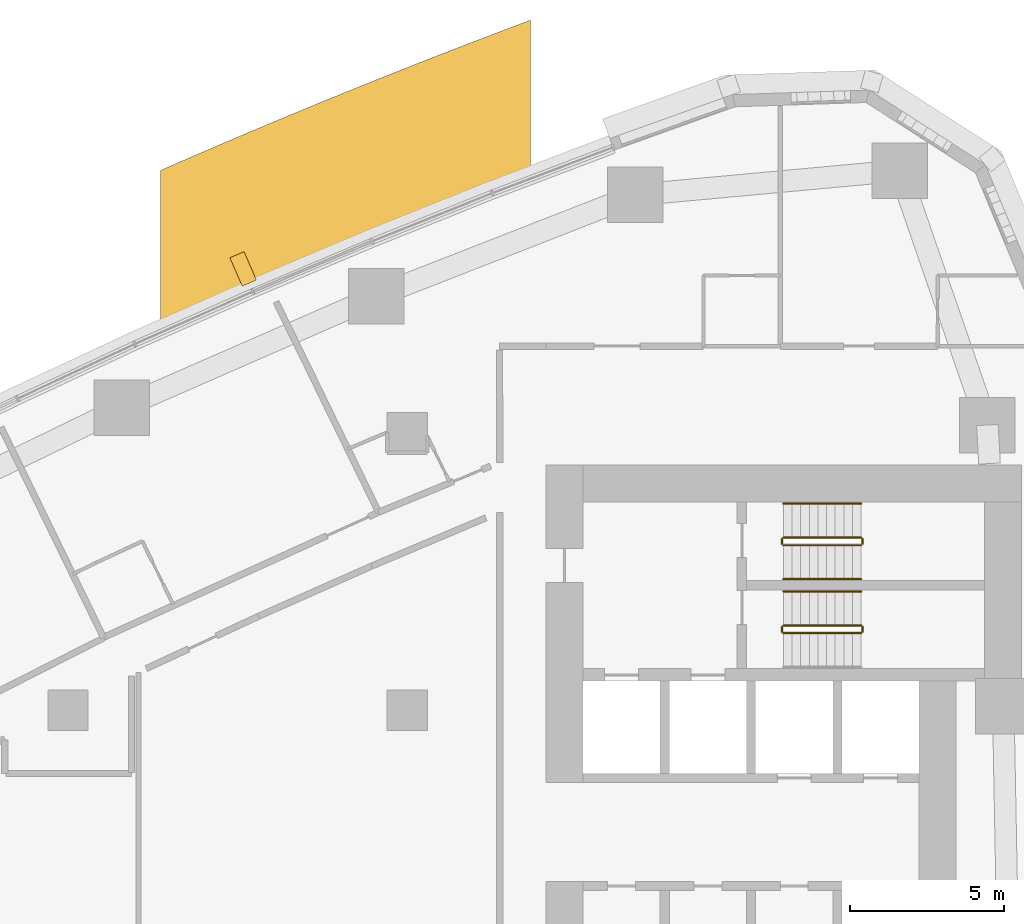
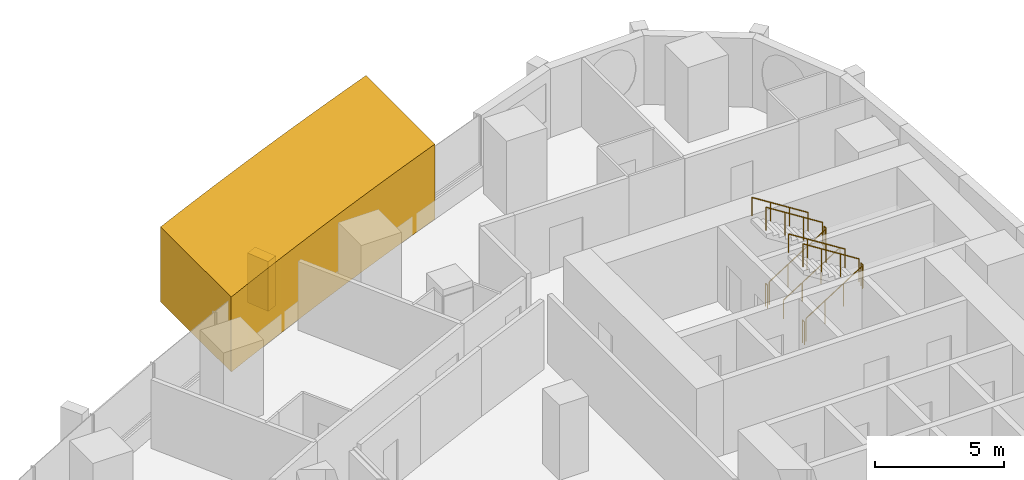
# One storey, part 17 of 18: 11 railings, 2 coverings.
"""IFC4 building model written with IfcOpenShell, lengths in metres."""

from ifc_helpers import new_model, si_unit, direction, frame, frame_2d, origin, origin_2d, place, context, subcontext, project, spatial, polyline, rectangle, circle, outline, extrude, material, layer, layer_set, type_object, element, save


model = new_model("IFC4")

# Units and contexts
model_context = context("Model", 3, precision=1e-05, world=origin(), true_north=direction((0.0, 1.0)))
body_context = subcontext(model_context, "Body", "Model", "MODEL_VIEW")
ifc_project = project(units=[si_unit("LENGTHUNIT", "METRE"), si_unit("AREAUNIT", "SQUARE_METRE"), si_unit("VOLUMEUNIT", "CUBIC_METRE"), si_unit("PLANEANGLEUNIT", "RADIAN"), si_unit("MASSUNIT", "GRAM", prefix="KILO")], contexts=[model_context])

# Site, building, storey
site_placement = place(None, origin())
site = spatial("IfcSite", under=ifc_project, at=site_placement, CompositionType="ELEMENT")
building_placement = place(site_placement, origin())
building = spatial("IfcBuilding", under=site, at=building_placement, Name="Ostrand Prow Hotel Tower", CompositionType="ELEMENT")
storey_placement = place(building_placement, frame((0.0, 0.0, 57.35009765625)))
storey = spatial("IfcBuildingStorey", under=building, at=storey_placement, Name="L12", CompositionType="ELEMENT", Elevation=57.35009765625)

# Coverings
ifc_material_1 = material(Name="Limestone cladding", Category="masonry")
ifc_layer_1 = layer(ifc_material_1, 5.0)
ifc_layer_set_1 = layer_set([ifc_layer_1], Name="Limestone cladding")
covering_type_1 = type_object("IfcCoveringType", Name="Portal jamb pilaster limestone", PredefinedType="CLADDING", material=ifc_layer_set_1)
covering_1_placement = place(storey_placement, origin())
element("IfcCovering", 1, at=covering_1_placement, inside=storey, type_object=covering_type_1, Name="Portal jamb NB L12", PredefinedType="CLADDING", context=body_context, shape_type="SweptSolid", body=[
    extrude(outline(polyline([(37.0, 21.037109375), (38.0, 21.484619140625), (39.0, 21.9267578125), (40.0, 22.363037109375), (41.0, 22.793701171875), (42.0, 23.218505859375), (43.0, 23.637939453125), (44.0, 24.051513671875), (45.0, 24.459716796875), (46.0, 24.862548828125), (47.0, 25.259765625), (48.0, 25.6513671875), (49.0, 26.03759765625), (49.0, 31.384521484375), (48.0, 31.0078125), (47.0, 30.62548828125), (46.0, 30.23828125), (45.0, 29.845703125), (44.0, 29.447509765625), (43.0, 29.044189453125), (42.0, 28.635498046875), (41.0, 28.22119140625), (40.0, 27.801513671875), (39.0, 27.376220703125), (38.0, 26.945556640625), (37.0, 26.50927734375), (37.0, 21.037109375)])), origin(), (0.0, 0.0, 1.0), 3.5498046875),
])
ifc_material_2 = material(Name="Limestone cladding", Category="masonry")
ifc_layer_2 = layer(ifc_material_2, 0.5)
ifc_layer_set_2 = layer_set([ifc_layer_2], Name="Limestone cladding")
covering_type_2 = type_object("IfcCoveringType", Name="Precast stone fin 500x900", PredefinedType="CLADDING", material=ifc_layer_set_2)
covering_2_placement = place(storey_placement, frame((39.876220703125, 22.854248046875, 0.89990234375), z_axis=(0.0, 0.0, 1.0), x_axis=(-0.397216867903, 0.917724773477, 0.0)))
element("IfcCovering", 2, at=covering_2_placement, inside=storey, type_object=covering_type_2, Name="Stone fin N 4", PredefinedType="CLADDING", context=body_context, shape_type="SweptSolid", body=[
    extrude(rectangle(XDim=1.0, YDim=0.5, at=frame_2d((0.5, 0.0))), origin(), (0.0, 0.0, 1.0), 2.35009765625),
])

# Railings
ifc_material_3 = material(Name="Painted steel", Category="steel")
railing_type_1 = type_object("IfcRailingType", Name="Stair guard 1100", PredefinedType="GUARDRAIL", material=ifc_material_3)
railing_1_placement = place(storey_placement, frame((57.199951171875, 11.5, 0.177490234375)))
element("IfcRailing", 3, at=railing_1_placement, inside=storey, type_object=railing_type_1, Name="L12 ST1C stair guard 1", PredefinedType="GUARDRAIL", context=body_context, shape_type="SweptSolid", body=[
    extrude(circle(Radius=0.02392578125, at=origin_2d()), frame((0.0, 0.0, 1.076171875), z_axis=(0.84460694969, 0.0, 0.535386869969), x_axis=(0.0, 1.0, 0.0)), (0.0, 0.0, 1.0), 2.983642578125),
    extrude(circle(Radius=0.02099609375, at=origin_2d()), origin(), (0.0, 0.0, 1.0), 1.052001953125),
    extrude(circle(Radius=0.02099609375, at=origin_2d()), frame((0.840087890625, 0.0, 0.532470703125)), (0.0, 0.0, 1.0), 1.052001953125),
    extrude(circle(Radius=0.02099609375, at=origin_2d()), frame((1.679931640625, 0.0, 1.06494140625)), (0.0, 0.0, 1.0), 1.052001953125),
    extrude(circle(Radius=0.02099609375, at=origin_2d()), frame((2.52001953125, 0.0, 1.597412109375)), (0.0, 0.0, 1.0), 1.052001953125),
])
railing_2_placement = place(storey_placement, frame((59.77001953125, 11.550048828125, 1.77490234375)))
element("IfcRailing", 4, at=railing_2_placement, inside=storey, type_object=railing_type_1, Name="L12 ST1C stair guard 2", PredefinedType="GUARDRAIL", context=body_context, shape_type="SweptSolid", body=[
    extrude(circle(Radius=0.02392578125, at=origin_2d()), frame((0.0, 0.0, 1.076171875), z_axis=(0.0, 1.0, 0.0), x_axis=(-1.0, 0.0, 0.0)), (0.0, 0.0, 1.0), 0.14990234375),
    extrude(circle(Radius=0.02099609375, at=origin_2d()), origin(), (0.0, 0.0, 1.0), 1.052001953125),
    extrude(circle(Radius=0.02099609375, at=origin_2d()), frame((0.0, 0.14990234375, 0.0)), (0.0, 0.0, 1.0), 1.052001953125),
])
railing_3_placement = place(storey_placement, frame((59.719970703125, 11.75, 1.952392578125)))
element("IfcRailing", 5, at=railing_3_placement, inside=storey, type_object=railing_type_1, Name="L12 ST1C stair guard 3", PredefinedType="GUARDRAIL", context=body_context, shape_type="SweptSolid", body=[
    extrude(circle(Radius=0.02392578125, at=origin_2d()), frame((0.0, 0.0, 1.076171875), z_axis=(-0.84460694969, 0.0, 0.535386869969), x_axis=(0.0, -1.0, 0.0)), (0.0, 0.0, 1.0), 2.983642578125),
    extrude(circle(Radius=0.02099609375, at=origin_2d()), origin(), (0.0, 0.0, 1.0), 1.052001953125),
    extrude(circle(Radius=0.02099609375, at=origin_2d()), frame((-0.840087890625, 0.0, 0.532470703125)), (0.0, 0.0, 1.0), 1.052001953125),
    extrude(circle(Radius=0.02099609375, at=origin_2d()), frame((-1.679931640625, 0.0, 1.06494140625)), (0.0, 0.0, 1.0), 1.052001953125),
    extrude(circle(Radius=0.02099609375, at=origin_2d()), frame((-2.52001953125, 0.0, 1.597412109375)), (0.0, 0.0, 1.0), 1.052001953125),
])
railing_4_placement = place(storey_placement, frame((57.14990234375, 11.550048828125, 0.0)))
element("IfcRailing", 6, at=railing_4_placement, inside=storey, type_object=railing_type_1, Name="L12 ST1C stair guard 4", PredefinedType="GUARDRAIL", context=body_context, shape_type="SweptSolid", body=[
    extrude(circle(Radius=0.02392578125, at=origin_2d()), frame((0.0, 0.0, 1.076171875), z_axis=(0.0, 1.0, 0.0), x_axis=(-1.0, 0.0, 0.0)), (0.0, 0.0, 1.0), 0.14990234375),
    extrude(circle(Radius=0.02099609375, at=origin_2d()), origin(), (0.0, 0.0, 1.0), 1.052001953125),
    extrude(circle(Radius=0.02099609375, at=origin_2d()), frame((0.0, 0.14990234375, 0.0)), (0.0, 0.0, 1.0), 1.052001953125),
])
railing_5_placement = place(storey_placement, frame((57.199951171875, 14.35009765625, 0.177490234375)))
element("IfcRailing", 7, at=railing_5_placement, inside=storey, type_object=railing_type_1, Name="L12 ST3C stair guard 1", PredefinedType="GUARDRAIL", context=body_context, shape_type="SweptSolid", body=[
    extrude(circle(Radius=0.02392578125, at=origin_2d()), frame((0.0, 0.0, 1.076171875), z_axis=(0.84460694969, 0.0, 0.535386869969), x_axis=(0.0, 1.0, 0.0)), (0.0, 0.0, 1.0), 2.983642578125),
    extrude(circle(Radius=0.02099609375, at=origin_2d()), origin(), (0.0, 0.0, 1.0), 1.052001953125),
    extrude(circle(Radius=0.02099609375, at=origin_2d()), frame((0.840087890625, 0.0, 0.532470703125)), (0.0, 0.0, 1.0), 1.052001953125),
    extrude(circle(Radius=0.02099609375, at=origin_2d()), frame((1.679931640625, 0.0, 1.06494140625)), (0.0, 0.0, 1.0), 1.052001953125),
    extrude(circle(Radius=0.02099609375, at=origin_2d()), frame((2.52001953125, 0.0, 1.597412109375)), (0.0, 0.0, 1.0), 1.052001953125),
])
railing_6_placement = place(storey_placement, frame((59.77001953125, 14.39990234375, 1.77490234375)))
element("IfcRailing", 8, at=railing_6_placement, inside=storey, type_object=railing_type_1, Name="L12 ST3C stair guard 2", PredefinedType="GUARDRAIL", context=body_context, shape_type="SweptSolid", body=[
    extrude(circle(Radius=0.02392578125, at=origin_2d()), frame((0.0, 0.0, 1.076171875), z_axis=(0.0, 1.0, 0.0), x_axis=(-1.0, 0.0, 0.0)), (0.0, 0.0, 1.0), 0.150146484375),
    extrude(circle(Radius=0.02099609375, at=origin_2d()), origin(), (0.0, 0.0, 1.0), 1.052001953125),
    extrude(circle(Radius=0.02099609375, at=origin_2d()), frame((0.0, 0.150146484375, 0.0)), (0.0, 0.0, 1.0), 1.052001953125),
])
railing_7_placement = place(storey_placement, frame((59.719970703125, 14.60009765625, 1.952392578125)))
element("IfcRailing", 9, at=railing_7_placement, inside=storey, type_object=railing_type_1, Name="L12 ST3C stair guard 3", PredefinedType="GUARDRAIL", context=body_context, shape_type="SweptSolid", body=[
    extrude(circle(Radius=0.02392578125, at=origin_2d()), frame((0.0, 0.0, 1.076171875), z_axis=(-0.84460694969, 0.0, 0.535386869969), x_axis=(0.0, -1.0, 0.0)), (0.0, 0.0, 1.0), 2.983642578125),
    extrude(circle(Radius=0.02099609375, at=origin_2d()), origin(), (0.0, 0.0, 1.0), 1.052001953125),
    extrude(circle(Radius=0.02099609375, at=origin_2d()), frame((-0.840087890625, 0.0, 0.532470703125)), (0.0, 0.0, 1.0), 1.052001953125),
    extrude(circle(Radius=0.02099609375, at=origin_2d()), frame((-1.679931640625, 0.0, 1.06494140625)), (0.0, 0.0, 1.0), 1.052001953125),
    extrude(circle(Radius=0.02099609375, at=origin_2d()), frame((-2.52001953125, 0.0, 1.597412109375)), (0.0, 0.0, 1.0), 1.052001953125),
])
railing_8_placement = place(storey_placement, frame((57.14990234375, 14.39990234375, 0.0)))
element("IfcRailing", 10, at=railing_8_placement, inside=storey, type_object=railing_type_1, Name="L12 ST3C stair guard 4", PredefinedType="GUARDRAIL", context=body_context, shape_type="SweptSolid", body=[
    extrude(circle(Radius=0.02392578125, at=origin_2d()), frame((0.0, 0.0, 1.076171875), z_axis=(0.0, 1.0, 0.0), x_axis=(-1.0, 0.0, 0.0)), (0.0, 0.0, 1.0), 0.150146484375),
    extrude(circle(Radius=0.02099609375, at=origin_2d()), origin(), (0.0, 0.0, 1.0), 1.052001953125),
    extrude(circle(Radius=0.02099609375, at=origin_2d()), frame((0.0, 0.150146484375, 0.0)), (0.0, 0.0, 1.0), 1.052001953125),
])
ifc_material_4 = material(Name="Stainless steel", Category="steel")
railing_type_2 = type_object("IfcRailingType", Name="Stair handrail 900", PredefinedType="HANDRAIL", material=ifc_material_4)
railing_9_placement = place(storey_placement, frame((59.719970703125, 12.85009765625, 1.952392578125)))
element("IfcRailing", 11, at=railing_9_placement, inside=storey, type_object=railing_type_2, Name="L12 ST1C stair handrail 2", PredefinedType="HANDRAIL", context=body_context, shape_type="SweptSolid", body=[
    extrude(circle(Radius=0.02392578125, at=origin_2d()), frame((0.0, 0.0, 0.8759765625), z_axis=(-0.84460694969, 0.0, 0.535386869969), x_axis=(0.0, -1.0, 0.0)), (0.0, 0.0, 1.0), 2.983642578125),
    extrude(circle(Radius=0.02099609375, at=origin_2d()), origin(), (0.0, 0.0, 1.0), 0.851806640625),
    extrude(circle(Radius=0.02099609375, at=origin_2d()), frame((-0.840087890625, 0.0, 0.532470703125)), (0.0, 0.0, 1.0), 0.851806640625),
    extrude(circle(Radius=0.02099609375, at=origin_2d()), frame((-1.679931640625, 0.0, 1.06494140625)), (0.0, 0.0, 1.0), 0.851806640625),
    extrude(circle(Radius=0.02099609375, at=origin_2d()), frame((-2.52001953125, 0.0, 1.597412109375)), (0.0, 0.0, 1.0), 0.851806640625),
])
railing_10_placement = place(storey_placement, frame((57.199951171875, 13.25, 0.177490234375)))
element("IfcRailing", 12, at=railing_10_placement, inside=storey, type_object=railing_type_2, Name="L12 ST3C stair handrail 1", PredefinedType="HANDRAIL", context=body_context, shape_type="SweptSolid", body=[
    extrude(circle(Radius=0.02392578125, at=origin_2d()), frame((0.0, 0.0, 0.8759765625), z_axis=(0.84460694969, 0.0, 0.535386869969), x_axis=(0.0, 1.0, 0.0)), (0.0, 0.0, 1.0), 2.983642578125),
    extrude(circle(Radius=0.02099609375, at=origin_2d()), origin(), (0.0, 0.0, 1.0), 0.851806640625),
    extrude(circle(Radius=0.02099609375, at=origin_2d()), frame((0.840087890625, 0.0, 0.532470703125)), (0.0, 0.0, 1.0), 0.851806640625),
    extrude(circle(Radius=0.02099609375, at=origin_2d()), frame((1.679931640625, 0.0, 1.06494140625)), (0.0, 0.0, 1.0), 0.851806640625),
    extrude(circle(Radius=0.02099609375, at=origin_2d()), frame((2.52001953125, 0.0, 1.597412109375)), (0.0, 0.0, 1.0), 0.851806640625),
])
railing_11_placement = place(storey_placement, frame((59.719970703125, 15.699951171875, 1.952392578125)))
element("IfcRailing", 13, at=railing_11_placement, inside=storey, type_object=railing_type_2, Name="L12 ST3C stair handrail 2", PredefinedType="HANDRAIL", context=body_context, shape_type="SweptSolid", body=[
    extrude(circle(Radius=0.02392578125, at=origin_2d()), frame((0.0, 0.0, 0.8759765625), z_axis=(-0.84460694969, 0.0, 0.535386869969), x_axis=(0.0, -1.0, 0.0)), (0.0, 0.0, 1.0), 2.983642578125),
    extrude(circle(Radius=0.02099609375, at=origin_2d()), origin(), (0.0, 0.0, 1.0), 0.851806640625),
    extrude(circle(Radius=0.02099609375, at=origin_2d()), frame((-0.840087890625, 0.0, 0.532470703125)), (0.0, 0.0, 1.0), 0.851806640625),
    extrude(circle(Radius=0.02099609375, at=origin_2d()), frame((-1.679931640625, 0.0, 1.06494140625)), (0.0, 0.0, 1.0), 0.851806640625),
    extrude(circle(Radius=0.02099609375, at=origin_2d()), frame((-2.52001953125, 0.0, 1.597412109375)), (0.0, 0.0, 1.0), 0.851806640625),
])

save(model, "model.ifc")
